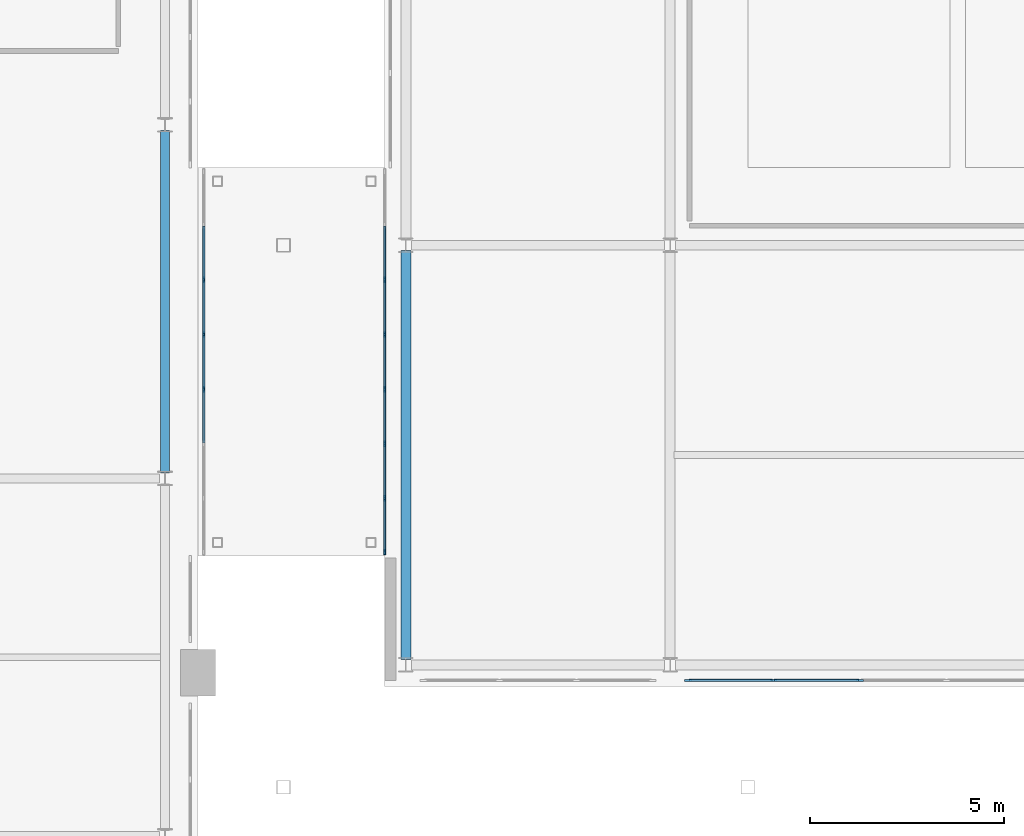
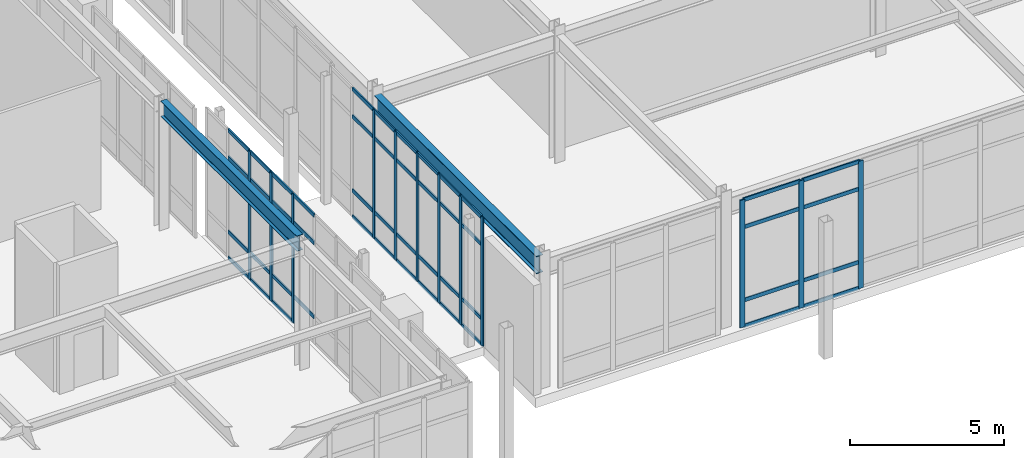
# One storey, part 62 of 159: 59 members, 2 beams, 3 elements without a shape of their own.
"""IFC4 building model written with IfcOpenShell, lengths in metres."""

from ifc_helpers import new_model, si_unit, derived_unit, direction, frame, origin, origin_2d, place, context, subcontext, project, spatial, rectangle, i_section, extrude, material, layer, layer_set, material_profile, profile_set, type_object, element, aggregate, save


model = new_model("IFC4")

# Units and contexts
model_context = context("Model", 3, precision=1e-05, world=origin(), true_north=direction((0.0, 1.0)))
body_context = subcontext(model_context, "Body", "Model", "MODEL_VIEW")
ifc_project = project(units=[si_unit("LENGTHUNIT", "METRE"), si_unit("AREAUNIT", "SQUARE_METRE"), si_unit("VOLUMEUNIT", "CUBIC_METRE"), si_unit("PLANEANGLEUNIT", "RADIAN"), si_unit("MASSUNIT", "GRAM", prefix="KILO"), derived_unit("THERMALTRANSMITTANCEUNIT", [(si_unit("MASSUNIT", "GRAM", prefix="KILO"), 1), (si_unit("TIMEUNIT", "SECOND"), -3), (si_unit("THERMODYNAMICTEMPERATUREUNIT", "KELVIN"), -1)])], contexts=[model_context])

# Site, building, storey
site_placement = place(None, origin())
site = spatial("IfcSite", under=ifc_project, at=site_placement, CompositionType="ELEMENT")
building_placement = place(site_placement, origin())
building = spatial("IfcBuilding", under=site, at=building_placement, Name="Valcora Ridge Arena", CompositionType="ELEMENT")
storey_placement = place(building_placement, frame((0.0, 0.0, 6.0)))
storey = spatial("IfcBuildingStorey", under=building, at=storey_placement, Name="L01", CompositionType="ELEMENT", Elevation=6.0)

# Beams
ifc_material_1 = material(Name="Steel ASTM A572 Grade 50", Category="steel")
ifc_material_profile_1 = material_profile(ifc_material_1, i_section(OverallWidth=0.22900390625, OverallDepth=0.612060546875, WebThickness=0.011962890625, FlangeThickness=0.01953125, FilletRadius=0.01806640625, at=origin_2d()), Name="W24X84")
ifc_profile_set_1 = profile_set([ifc_material_profile_1], Name="Steel ASTM A572 Grade 50")
beam_type_1 = type_object("IfcBeamType", Name="TY-BEAM-G-W24X84-Y", PredefinedType="BEAM", material=ifc_profile_set_1)
beam_1_placement = place(storey_placement, frame((131.0, 10.139892578125, 4.7939453125), z_axis=(0.0, 1.0, 0.0), x_axis=(-1.0, 0.0, 0.0)))
element("IfcBeam", 1, at=beam_1_placement, inside=storey, type_object=beam_type_1, Name="G-W24X84-Y BEM-G-W24X84-Y-0017", PredefinedType="BEAM", context=body_context, shape_type="SweptSolid", body=[
    extrude(i_section(OverallWidth=0.22900390625, OverallDepth=0.612060546875, WebThickness=0.011962890625, FlangeThickness=0.01953125, FilletRadius=0.01806640625, at=origin_2d()), origin(), (0.0, 0.0, 1.0), 8.820068359375),
])
ifc_material_profile_2 = material_profile(ifc_material_1, i_section(OverallWidth=0.256103515625, OverallDepth=0.693115234375, WebThickness=0.014404296875, FlangeThickness=0.023681640625, FilletRadius=0.02001953125, at=origin_2d()), Name="W27X114")
ifc_profile_set_2 = profile_set([ifc_material_profile_2], Name="Steel ASTM A572 Grade 50")
beam_type_2 = type_object("IfcBeamType", Name="TY-BEAM-G-W27X114-Y", PredefinedType="BEAM", material=ifc_profile_set_2)
beam_2_placement = place(storey_placement, frame((137.199951171875, 5.340087890625, 4.693603515625), z_axis=(0.0, 1.0, 0.0), x_axis=(-1.0, 0.0, 0.0)))
element("IfcBeam", 2, at=beam_2_placement, inside=storey, type_object=beam_type_2, Name="G-W27X114-Y BEM-G-W27X114-Y-0034", PredefinedType="BEAM", context=body_context, shape_type="SweptSolid", body=[
    extrude(i_section(OverallWidth=0.256103515625, OverallDepth=0.693115234375, WebThickness=0.014404296875, FlangeThickness=0.023681640625, FilletRadius=0.02001953125, at=origin_2d()), origin(), (0.0, 0.0, 1.0), 10.52001953125),
])

# Curtain wall, members
ifc_material_2 = material(Name="Anodised dark bronze architectural aluminium 6063-T6", Category="aluminium")
ifc_layer_1 = layer(ifc_material_2, 0.14990234375, Name="Anodised dark bronze architectural aluminium 6063-T6")
ifc_layer_set_1 = layer_set([ifc_layer_1], Name="Anodised dark bronze architectural aluminium 6063-T6")
curtain_wall_type_1 = type_object("IfcCurtainWallType", Name="TY-CURTAINWALL-CW-BRG-098X51", PredefinedType="NOTDEFINED", material=ifc_layer_set_1)
curtain_wall_1_placement = place(storey_placement, origin())
curtain_wall_1 = element("IfcCurtainWall", 3, at=curtain_wall_1_placement, inside=storey, type_object=curtain_wall_type_1, Name="CW-BRG-098X51 CW-0352", PredefinedType="NOTDEFINED")
ifc_material_profile_3 = material_profile(ifc_material_2, rectangle(XDim=0.050048828125, YDim=0.14990234375, at=origin_2d()), Name="ALU MULLION 50x150")
ifc_profile_set_3 = profile_set([ifc_material_profile_3], Name="Anodised dark bronze architectural aluminium 6063-T6")
member_type_1 = type_object("IfcMemberType", Name="TY-MEM-CWM-50x150", PredefinedType="MULLION", material=ifc_profile_set_3)
member_1_placement = place(storey_placement, frame((132.0, 12.297119140625, 0.0), z_axis=(0.0, 0.0, 1.0), x_axis=(-1.0, 0.0, 0.0)))
member_1 = element("IfcMember", 4, at=member_1_placement, type_object=member_type_1, Name="CW-0352/CWM-50x150/M03", PredefinedType="MULLION", context=body_context, shape_type="SweptSolid", body=[
    extrude(rectangle(XDim=0.050048828125, YDim=0.14990234375, at=origin_2d()), origin(), (0.0, 0.0, 1.0), 5.080078125),
])
member_2_placement = place(storey_placement, frame((132.0, 13.702880859375, 0.0), z_axis=(0.0, 0.0, 1.0), x_axis=(-1.0, 0.0, 0.0)))
member_2 = element("IfcMember", 5, at=member_2_placement, type_object=member_type_1, Name="CW-0352/CWM-50x150/M04", PredefinedType="MULLION", context=body_context, shape_type="SweptSolid", body=[
    extrude(rectangle(XDim=0.050048828125, YDim=0.14990234375, at=origin_2d()), origin(), (0.0, 0.0, 1.0), 5.080078125),
])
member_3_placement = place(storey_placement, frame((132.0, 15.108642578125, 0.0), z_axis=(0.0, 0.0, 1.0), x_axis=(-1.0, 0.0, 0.0)))
member_3 = element("IfcMember", 6, at=member_3_placement, type_object=member_type_1, Name="CW-0352/CWM-50x150/M05", PredefinedType="MULLION", context=body_context, shape_type="SweptSolid", body=[
    extrude(rectangle(XDim=0.050048828125, YDim=0.14990234375, at=origin_2d()), origin(), (0.0, 0.0, 1.0), 5.080078125),
])

curtain_wall_2_placement = place(storey_placement, origin())
curtain_wall_2 = element("IfcCurtainWall", 7, at=curtain_wall_2_placement, inside=storey, type_object=curtain_wall_type_1, Name="CW-BRG-098X51 CW-0353", PredefinedType="NOTDEFINED")
member_4_placement = place(storey_placement, frame((136.64990234375, 8.10498046875, 0.0), z_axis=(0.0, 0.0, 1.0), x_axis=(-1.0, 0.0, 0.0)))
member_4 = element("IfcMember", 8, at=member_4_placement, type_object=member_type_1, Name="CW-0353/CWM-50x150/M00", PredefinedType="MULLION", context=body_context, shape_type="SweptSolid", body=[
    extrude(rectangle(XDim=0.050048828125, YDim=0.14990234375, at=origin_2d()), origin(), (0.0, 0.0, 1.0), 5.080078125),
])
member_5_placement = place(storey_placement, frame((136.64990234375, 9.485595703125, 0.0), z_axis=(0.0, 0.0, 1.0), x_axis=(-1.0, 0.0, 0.0)))
member_5 = element("IfcMember", 9, at=member_5_placement, type_object=member_type_1, Name="CW-0353/CWM-50x150/M01", PredefinedType="MULLION", context=body_context, shape_type="SweptSolid", body=[
    extrude(rectangle(XDim=0.050048828125, YDim=0.14990234375, at=origin_2d()), origin(), (0.0, 0.0, 1.0), 5.080078125),
])
member_6_placement = place(storey_placement, frame((136.64990234375, 10.891357421875, 0.0), z_axis=(0.0, 0.0, 1.0), x_axis=(-1.0, 0.0, 0.0)))
member_6 = element("IfcMember", 10, at=member_6_placement, type_object=member_type_1, Name="CW-0353/CWM-50x150/M02", PredefinedType="MULLION", context=body_context, shape_type="SweptSolid", body=[
    extrude(rectangle(XDim=0.050048828125, YDim=0.14990234375, at=origin_2d()), origin(), (0.0, 0.0, 1.0), 5.080078125),
])
member_7_placement = place(storey_placement, frame((136.64990234375, 12.297119140625, 0.0), z_axis=(0.0, 0.0, 1.0), x_axis=(-1.0, 0.0, 0.0)))
member_7 = element("IfcMember", 11, at=member_7_placement, type_object=member_type_1, Name="CW-0353/CWM-50x150/M03", PredefinedType="MULLION", context=body_context, shape_type="SweptSolid", body=[
    extrude(rectangle(XDim=0.050048828125, YDim=0.14990234375, at=origin_2d()), origin(), (0.0, 0.0, 1.0), 5.080078125),
])
member_8_placement = place(storey_placement, frame((136.64990234375, 13.702880859375, 0.0), z_axis=(0.0, 0.0, 1.0), x_axis=(-1.0, 0.0, 0.0)))
member_8 = element("IfcMember", 12, at=member_8_placement, type_object=member_type_1, Name="CW-0353/CWM-50x150/M04", PredefinedType="MULLION", context=body_context, shape_type="SweptSolid", body=[
    extrude(rectangle(XDim=0.050048828125, YDim=0.14990234375, at=origin_2d()), origin(), (0.0, 0.0, 1.0), 5.080078125),
])
member_9_placement = place(storey_placement, frame((136.64990234375, 15.108642578125, 0.0), z_axis=(0.0, 0.0, 1.0), x_axis=(-1.0, 0.0, 0.0)))
member_9 = element("IfcMember", 13, at=member_9_placement, type_object=member_type_1, Name="CW-0353/CWM-50x150/M05", PredefinedType="MULLION", context=body_context, shape_type="SweptSolid", body=[
    extrude(rectangle(XDim=0.050048828125, YDim=0.14990234375, at=origin_2d()), origin(), (0.0, 0.0, 1.0), 5.080078125),
])

ifc_layer_2 = layer(ifc_material_2, 0.179931640625, Name="Anodised dark bronze architectural aluminium 6063-T6")
ifc_layer_set_2 = layer_set([ifc_layer_2], Name="Anodised dark bronze architectural aluminium 6063-T6")
curtain_wall_type_2 = type_object("IfcCurtainWallType", Name="TY-CURTAINWALL-CW-V2-GLAZ-111X50", PredefinedType="NOTDEFINED", material=ifc_layer_set_2)
curtain_wall_3_placement = place(storey_placement, origin())
curtain_wall_3 = element("IfcCurtainWall", 14, at=curtain_wall_3_placement, inside=storey, type_object=curtain_wall_type_2, Name="CW-V2-GLAZ-111X50 CW-0045", PredefinedType="NOTDEFINED")
ifc_material_profile_4 = material_profile(ifc_material_2, rectangle(XDim=0.06005859375, YDim=0.179931640625, at=origin_2d()), Name="ALU MULLION 60x180")
ifc_profile_set_4 = profile_set([ifc_material_profile_4], Name="Anodised dark bronze architectural aluminium 6063-T6")
member_type_2 = type_object("IfcMemberType", Name="TY-MEM-CWM-60x180", PredefinedType="MULLION", material=ifc_profile_set_4)
member_10_placement = place(storey_placement, frame((144.45703125, 4.800048828125, 0.0), z_axis=(0.0, 0.0, 1.0), x_axis=(0.0, 1.0, 0.0)))
member_10 = element("IfcMember", 15, at=member_10_placement, type_object=member_type_2, Name="CW-0045/CWM-60x180/M00", PredefinedType="MULLION", context=body_context, shape_type="SweptSolid", body=[
    extrude(rectangle(XDim=0.06005859375, YDim=0.179931640625, at=origin_2d()), origin(), (0.0, 0.0, 1.0), 5.0400390625),
])
member_11_placement = place(storey_placement, frame((146.65625, 4.800048828125, 0.0), z_axis=(0.0, 0.0, 1.0), x_axis=(0.0, 1.0, 0.0)))
member_11 = element("IfcMember", 16, at=member_11_placement, type_object=member_type_2, Name="CW-0045/CWM-60x180/M01", PredefinedType="MULLION", context=body_context, shape_type="SweptSolid", body=[
    extrude(rectangle(XDim=0.06005859375, YDim=0.179931640625, at=origin_2d()), origin(), (0.0, 0.0, 1.0), 5.0400390625),
])
member_12_placement = place(storey_placement, frame((148.885498046875, 4.800048828125, 0.0), z_axis=(0.0, 0.0, 1.0), x_axis=(0.0, 1.0, 0.0)))
member_12 = element("IfcMember", 17, at=member_12_placement, type_object=member_type_2, Name="CW-0045/CWM-60x180/M02", PredefinedType="MULLION", context=body_context, shape_type="SweptSolid", body=[
    extrude(rectangle(XDim=0.06005859375, YDim=0.179931640625, at=origin_2d()), origin(), (0.0, 0.0, 1.0), 5.0400390625),
])
ifc_material_profile_5 = material_profile(ifc_material_2, rectangle(XDim=0.050048828125, YDim=0.14990234375, at=origin_2d()), Name="ALU TRANSOM 50x150")
ifc_profile_set_5 = profile_set([ifc_material_profile_5], Name="Anodised dark bronze architectural aluminium 6063-T6")
member_type_3 = type_object("IfcMemberType", Name="TY-MEM-CWT-50x150", PredefinedType="USERDEFINED", material=ifc_profile_set_5)
member_13_placement = place(storey_placement, frame((144.487060546875, 4.800048828125, 0.02490234375), z_axis=(1.0, 0.0, 0.0), x_axis=(0.0, 1.0, 0.0)))
member_13 = element("IfcMember", 18, at=member_13_placement, type_object=member_type_3, Name="CW-0045/CWT-50x150/T00-00", ObjectType="TRANSOM", PredefinedType="USERDEFINED", context=body_context, shape_type="SweptSolid", body=[
    extrude(rectangle(XDim=0.050048828125, YDim=0.14990234375, at=origin_2d()), origin(), (0.0, 0.0, 1.0), 2.138916015625),
])
member_14_placement = place(storey_placement, frame((144.487060546875, 4.800048828125, 1.050048828125), z_axis=(1.0, 0.0, 0.0), x_axis=(0.0, 1.0, 0.0)))
member_14 = element("IfcMember", 19, at=member_14_placement, type_object=member_type_3, Name="CW-0045/CWT-50x150/T00-01", ObjectType="TRANSOM", PredefinedType="USERDEFINED", context=body_context, shape_type="SweptSolid", body=[
    extrude(rectangle(XDim=0.050048828125, YDim=0.14990234375, at=origin_2d()), origin(), (0.0, 0.0, 1.0), 2.138916015625),
])
member_15_placement = place(storey_placement, frame((144.487060546875, 4.800048828125, 3.93994140625), z_axis=(1.0, 0.0, 0.0), x_axis=(0.0, 1.0, 0.0)))
member_15 = element("IfcMember", 20, at=member_15_placement, type_object=member_type_3, Name="CW-0045/CWT-50x150/T00-02", ObjectType="TRANSOM", PredefinedType="USERDEFINED", context=body_context, shape_type="SweptSolid", body=[
    extrude(rectangle(XDim=0.050048828125, YDim=0.14990234375, at=origin_2d()), origin(), (0.0, 0.0, 1.0), 2.138916015625),
])
member_16_placement = place(storey_placement, frame((144.487060546875, 4.800048828125, 5.014892578125), z_axis=(1.0, 0.0, 0.0), x_axis=(0.0, 1.0, 0.0)))
member_16 = element("IfcMember", 21, at=member_16_placement, type_object=member_type_3, Name="CW-0045/CWT-50x150/T00-03", ObjectType="TRANSOM", PredefinedType="USERDEFINED", context=body_context, shape_type="SweptSolid", body=[
    extrude(rectangle(XDim=0.050048828125, YDim=0.14990234375, at=origin_2d()), origin(), (0.0, 0.0, 1.0), 2.138916015625),
])
member_17_placement = place(storey_placement, frame((146.68603515625, 4.800048828125, 0.02490234375), z_axis=(1.0, 0.0, 0.0), x_axis=(0.0, 1.0, 0.0)))
member_17 = element("IfcMember", 22, at=member_17_placement, type_object=member_type_3, Name="CW-0045/CWT-50x150/T01-00", ObjectType="TRANSOM", PredefinedType="USERDEFINED", context=body_context, shape_type="SweptSolid", body=[
    extrude(rectangle(XDim=0.050048828125, YDim=0.14990234375, at=origin_2d()), origin(), (0.0, 0.0, 1.0), 2.1689453125),
])
member_18_placement = place(storey_placement, frame((146.68603515625, 4.800048828125, 1.050048828125), z_axis=(1.0, 0.0, 0.0), x_axis=(0.0, 1.0, 0.0)))
member_18 = element("IfcMember", 23, at=member_18_placement, type_object=member_type_3, Name="CW-0045/CWT-50x150/T01-01", ObjectType="TRANSOM", PredefinedType="USERDEFINED", context=body_context, shape_type="SweptSolid", body=[
    extrude(rectangle(XDim=0.050048828125, YDim=0.14990234375, at=origin_2d()), origin(), (0.0, 0.0, 1.0), 2.1689453125),
])
member_19_placement = place(storey_placement, frame((146.68603515625, 4.800048828125, 3.93994140625), z_axis=(1.0, 0.0, 0.0), x_axis=(0.0, 1.0, 0.0)))
member_19 = element("IfcMember", 24, at=member_19_placement, type_object=member_type_3, Name="CW-0045/CWT-50x150/T01-02", ObjectType="TRANSOM", PredefinedType="USERDEFINED", context=body_context, shape_type="SweptSolid", body=[
    extrude(rectangle(XDim=0.050048828125, YDim=0.14990234375, at=origin_2d()), origin(), (0.0, 0.0, 1.0), 2.1689453125),
])
member_20_placement = place(storey_placement, frame((146.68603515625, 4.800048828125, 5.014892578125), z_axis=(1.0, 0.0, 0.0), x_axis=(0.0, 1.0, 0.0)))
member_20 = element("IfcMember", 25, at=member_20_placement, type_object=member_type_3, Name="CW-0045/CWT-50x150/T01-03", ObjectType="TRANSOM", PredefinedType="USERDEFINED", context=body_context, shape_type="SweptSolid", body=[
    extrude(rectangle(XDim=0.050048828125, YDim=0.14990234375, at=origin_2d()), origin(), (0.0, 0.0, 1.0), 2.1689453125),
])
aggregate(curtain_wall_3, [member_10, member_11, member_12, member_13, member_14, member_15, member_16, member_17, member_18, member_19, member_20])

# Member
member_21_placement = place(storey_placement, frame((132.0, 10.916015625, 1.050048828125), z_axis=(0.0, 1.0, 0.0), x_axis=(-1.0, 0.0, 0.0)))
member_21 = element("IfcMember", 26, at=member_21_placement, type_object=member_type_3, Name="CW-0352/CWT-50x150/T02-01", ObjectType="TRANSOM", PredefinedType="USERDEFINED", context=body_context, shape_type="SweptSolid", body=[
    extrude(rectangle(XDim=0.050048828125, YDim=0.14990234375, at=origin_2d()), origin(), (0.0, 0.0, 1.0), 1.35595703125),
])

member_22_placement = place(storey_placement, frame((132.0, 10.916015625, 3.97998046875), z_axis=(0.0, 1.0, 0.0), x_axis=(-1.0, 0.0, 0.0)))
member_22 = element("IfcMember", 27, at=member_22_placement, type_object=member_type_3, Name="CW-0352/CWT-50x150/T02-02", ObjectType="TRANSOM", PredefinedType="USERDEFINED", context=body_context, shape_type="SweptSolid", body=[
    extrude(rectangle(XDim=0.050048828125, YDim=0.14990234375, at=origin_2d()), origin(), (0.0, 0.0, 1.0), 1.35595703125),
])

member_23_placement = place(storey_placement, frame((132.0, 10.916015625, 5.054931640625), z_axis=(0.0, 1.0, 0.0), x_axis=(-1.0, 0.0, 0.0)))
member_23 = element("IfcMember", 28, at=member_23_placement, type_object=member_type_3, Name="CW-0352/CWT-50x150/T02-03", ObjectType="TRANSOM", PredefinedType="USERDEFINED", context=body_context, shape_type="SweptSolid", body=[
    extrude(rectangle(XDim=0.050048828125, YDim=0.14990234375, at=origin_2d()), origin(), (0.0, 0.0, 1.0), 1.35595703125),
])

member_24_placement = place(storey_placement, frame((132.0, 12.322021484375, 0.02490234375), z_axis=(0.0, 1.0, 0.0), x_axis=(-1.0, 0.0, 0.0)))
member_24 = element("IfcMember", 29, at=member_24_placement, type_object=member_type_3, Name="CW-0352/CWT-50x150/T03-00", ObjectType="TRANSOM", PredefinedType="USERDEFINED", context=body_context, shape_type="SweptSolid", body=[
    extrude(rectangle(XDim=0.050048828125, YDim=0.14990234375, at=origin_2d()), origin(), (0.0, 0.0, 1.0), 1.35595703125),
])

member_25_placement = place(storey_placement, frame((132.0, 12.322021484375, 1.050048828125), z_axis=(0.0, 1.0, 0.0), x_axis=(-1.0, 0.0, 0.0)))
member_25 = element("IfcMember", 30, at=member_25_placement, type_object=member_type_3, Name="CW-0352/CWT-50x150/T03-01", ObjectType="TRANSOM", PredefinedType="USERDEFINED", context=body_context, shape_type="SweptSolid", body=[
    extrude(rectangle(XDim=0.050048828125, YDim=0.14990234375, at=origin_2d()), origin(), (0.0, 0.0, 1.0), 1.35595703125),
])

member_26_placement = place(storey_placement, frame((132.0, 12.322021484375, 3.97998046875), z_axis=(0.0, 1.0, 0.0), x_axis=(-1.0, 0.0, 0.0)))
member_26 = element("IfcMember", 31, at=member_26_placement, type_object=member_type_3, Name="CW-0352/CWT-50x150/T03-02", ObjectType="TRANSOM", PredefinedType="USERDEFINED", context=body_context, shape_type="SweptSolid", body=[
    extrude(rectangle(XDim=0.050048828125, YDim=0.14990234375, at=origin_2d()), origin(), (0.0, 0.0, 1.0), 1.35595703125),
])

member_27_placement = place(storey_placement, frame((132.0, 12.322021484375, 5.054931640625), z_axis=(0.0, 1.0, 0.0), x_axis=(-1.0, 0.0, 0.0)))
member_27 = element("IfcMember", 32, at=member_27_placement, type_object=member_type_3, Name="CW-0352/CWT-50x150/T03-03", ObjectType="TRANSOM", PredefinedType="USERDEFINED", context=body_context, shape_type="SweptSolid", body=[
    extrude(rectangle(XDim=0.050048828125, YDim=0.14990234375, at=origin_2d()), origin(), (0.0, 0.0, 1.0), 1.35595703125),
])

member_28_placement = place(storey_placement, frame((132.0, 13.72802734375, 0.02490234375), z_axis=(0.0, 1.0, 0.0), x_axis=(-1.0, 0.0, 0.0)))
member_28 = element("IfcMember", 33, at=member_28_placement, type_object=member_type_3, Name="CW-0352/CWT-50x150/T04-00", ObjectType="TRANSOM", PredefinedType="USERDEFINED", context=body_context, shape_type="SweptSolid", body=[
    extrude(rectangle(XDim=0.050048828125, YDim=0.14990234375, at=origin_2d()), origin(), (0.0, 0.0, 1.0), 1.35595703125),
])

member_29_placement = place(storey_placement, frame((132.0, 13.72802734375, 1.050048828125), z_axis=(0.0, 1.0, 0.0), x_axis=(-1.0, 0.0, 0.0)))
member_29 = element("IfcMember", 34, at=member_29_placement, type_object=member_type_3, Name="CW-0352/CWT-50x150/T04-01", ObjectType="TRANSOM", PredefinedType="USERDEFINED", context=body_context, shape_type="SweptSolid", body=[
    extrude(rectangle(XDim=0.050048828125, YDim=0.14990234375, at=origin_2d()), origin(), (0.0, 0.0, 1.0), 1.35595703125),
])

member_30_placement = place(storey_placement, frame((132.0, 13.72802734375, 3.97998046875), z_axis=(0.0, 1.0, 0.0), x_axis=(-1.0, 0.0, 0.0)))
member_30 = element("IfcMember", 35, at=member_30_placement, type_object=member_type_3, Name="CW-0352/CWT-50x150/T04-02", ObjectType="TRANSOM", PredefinedType="USERDEFINED", context=body_context, shape_type="SweptSolid", body=[
    extrude(rectangle(XDim=0.050048828125, YDim=0.14990234375, at=origin_2d()), origin(), (0.0, 0.0, 1.0), 1.35595703125),
])

member_31_placement = place(storey_placement, frame((132.0, 13.72802734375, 5.054931640625), z_axis=(0.0, 1.0, 0.0), x_axis=(-1.0, 0.0, 0.0)))
member_31 = element("IfcMember", 36, at=member_31_placement, type_object=member_type_3, Name="CW-0352/CWT-50x150/T04-03", ObjectType="TRANSOM", PredefinedType="USERDEFINED", context=body_context, shape_type="SweptSolid", body=[
    extrude(rectangle(XDim=0.050048828125, YDim=0.14990234375, at=origin_2d()), origin(), (0.0, 0.0, 1.0), 1.35595703125),
])

member_32_placement = place(storey_placement, frame((132.0, 15.134033203125, 0.02490234375), z_axis=(0.0, 1.0, 0.0), x_axis=(-1.0, 0.0, 0.0)))
member_32 = element("IfcMember", 37, at=member_32_placement, type_object=member_type_3, Name="CW-0352/CWT-50x150/T05-00", ObjectType="TRANSOM", PredefinedType="USERDEFINED", context=body_context, shape_type="SweptSolid", body=[
    extrude(rectangle(XDim=0.050048828125, YDim=0.14990234375, at=origin_2d()), origin(), (0.0, 0.0, 1.0), 1.35498046875),
])

member_33_placement = place(storey_placement, frame((132.0, 15.134033203125, 1.050048828125), z_axis=(0.0, 1.0, 0.0), x_axis=(-1.0, 0.0, 0.0)))
member_33 = element("IfcMember", 38, at=member_33_placement, type_object=member_type_3, Name="CW-0352/CWT-50x150/T05-01", ObjectType="TRANSOM", PredefinedType="USERDEFINED", context=body_context, shape_type="SweptSolid", body=[
    extrude(rectangle(XDim=0.050048828125, YDim=0.14990234375, at=origin_2d()), origin(), (0.0, 0.0, 1.0), 1.35498046875),
])

member_34_placement = place(storey_placement, frame((132.0, 15.134033203125, 3.97998046875), z_axis=(0.0, 1.0, 0.0), x_axis=(-1.0, 0.0, 0.0)))
member_34 = element("IfcMember", 39, at=member_34_placement, type_object=member_type_3, Name="CW-0352/CWT-50x150/T05-02", ObjectType="TRANSOM", PredefinedType="USERDEFINED", context=body_context, shape_type="SweptSolid", body=[
    extrude(rectangle(XDim=0.050048828125, YDim=0.14990234375, at=origin_2d()), origin(), (0.0, 0.0, 1.0), 1.35498046875),
])

member_35_placement = place(storey_placement, frame((132.0, 15.134033203125, 5.054931640625), z_axis=(0.0, 1.0, 0.0), x_axis=(-1.0, 0.0, 0.0)))
member_35 = element("IfcMember", 40, at=member_35_placement, type_object=member_type_3, Name="CW-0352/CWT-50x150/T05-03", ObjectType="TRANSOM", PredefinedType="USERDEFINED", context=body_context, shape_type="SweptSolid", body=[
    extrude(rectangle(XDim=0.050048828125, YDim=0.14990234375, at=origin_2d()), origin(), (0.0, 0.0, 1.0), 1.35498046875),
])

aggregate(curtain_wall_1, [member_1, member_2, member_3, member_21, member_22, member_23, member_24, member_25, member_26, member_27, member_28, member_29, member_30, member_31, member_32, member_33, member_34, member_35])

member_36_placement = place(storey_placement, frame((136.64990234375, 8.1298828125, 0.02490234375), z_axis=(0.0, 1.0, 0.0), x_axis=(-1.0, 0.0, 0.0)))
member_36 = element("IfcMember", 41, at=member_36_placement, type_object=member_type_3, Name="CW-0353/CWT-50x150/T00-00", ObjectType="TRANSOM", PredefinedType="USERDEFINED", context=body_context, shape_type="SweptSolid", body=[
    extrude(rectangle(XDim=0.050048828125, YDim=0.14990234375, at=origin_2d()), origin(), (0.0, 0.0, 1.0), 1.3310546875),
])

member_37_placement = place(storey_placement, frame((136.64990234375, 8.1298828125, 1.050048828125), z_axis=(0.0, 1.0, 0.0), x_axis=(-1.0, 0.0, 0.0)))
member_37 = element("IfcMember", 42, at=member_37_placement, type_object=member_type_3, Name="CW-0353/CWT-50x150/T00-01", ObjectType="TRANSOM", PredefinedType="USERDEFINED", context=body_context, shape_type="SweptSolid", body=[
    extrude(rectangle(XDim=0.050048828125, YDim=0.14990234375, at=origin_2d()), origin(), (0.0, 0.0, 1.0), 1.3310546875),
])

member_38_placement = place(storey_placement, frame((136.64990234375, 8.1298828125, 3.97998046875), z_axis=(0.0, 1.0, 0.0), x_axis=(-1.0, 0.0, 0.0)))
member_38 = element("IfcMember", 43, at=member_38_placement, type_object=member_type_3, Name="CW-0353/CWT-50x150/T00-02", ObjectType="TRANSOM", PredefinedType="USERDEFINED", context=body_context, shape_type="SweptSolid", body=[
    extrude(rectangle(XDim=0.050048828125, YDim=0.14990234375, at=origin_2d()), origin(), (0.0, 0.0, 1.0), 1.3310546875),
])

member_39_placement = place(storey_placement, frame((136.64990234375, 8.1298828125, 5.054931640625), z_axis=(0.0, 1.0, 0.0), x_axis=(-1.0, 0.0, 0.0)))
member_39 = element("IfcMember", 44, at=member_39_placement, type_object=member_type_3, Name="CW-0353/CWT-50x150/T00-03", ObjectType="TRANSOM", PredefinedType="USERDEFINED", context=body_context, shape_type="SweptSolid", body=[
    extrude(rectangle(XDim=0.050048828125, YDim=0.14990234375, at=origin_2d()), origin(), (0.0, 0.0, 1.0), 1.3310546875),
])

member_40_placement = place(storey_placement, frame((136.64990234375, 9.510986328125, 0.02490234375), z_axis=(0.0, 1.0, 0.0), x_axis=(-1.0, 0.0, 0.0)))
member_40 = element("IfcMember", 45, at=member_40_placement, type_object=member_type_3, Name="CW-0353/CWT-50x150/T01-00", ObjectType="TRANSOM", PredefinedType="USERDEFINED", context=body_context, shape_type="SweptSolid", body=[
    extrude(rectangle(XDim=0.050048828125, YDim=0.14990234375, at=origin_2d()), origin(), (0.0, 0.0, 1.0), 1.35498046875),
])

member_41_placement = place(storey_placement, frame((136.64990234375, 9.510986328125, 1.050048828125), z_axis=(0.0, 1.0, 0.0), x_axis=(-1.0, 0.0, 0.0)))
member_41 = element("IfcMember", 46, at=member_41_placement, type_object=member_type_3, Name="CW-0353/CWT-50x150/T01-01", ObjectType="TRANSOM", PredefinedType="USERDEFINED", context=body_context, shape_type="SweptSolid", body=[
    extrude(rectangle(XDim=0.050048828125, YDim=0.14990234375, at=origin_2d()), origin(), (0.0, 0.0, 1.0), 1.35498046875),
])

member_42_placement = place(storey_placement, frame((136.64990234375, 9.510986328125, 3.97998046875), z_axis=(0.0, 1.0, 0.0), x_axis=(-1.0, 0.0, 0.0)))
member_42 = element("IfcMember", 47, at=member_42_placement, type_object=member_type_3, Name="CW-0353/CWT-50x150/T01-02", ObjectType="TRANSOM", PredefinedType="USERDEFINED", context=body_context, shape_type="SweptSolid", body=[
    extrude(rectangle(XDim=0.050048828125, YDim=0.14990234375, at=origin_2d()), origin(), (0.0, 0.0, 1.0), 1.35498046875),
])

member_43_placement = place(storey_placement, frame((136.64990234375, 9.510986328125, 5.054931640625), z_axis=(0.0, 1.0, 0.0), x_axis=(-1.0, 0.0, 0.0)))
member_43 = element("IfcMember", 48, at=member_43_placement, type_object=member_type_3, Name="CW-0353/CWT-50x150/T01-03", ObjectType="TRANSOM", PredefinedType="USERDEFINED", context=body_context, shape_type="SweptSolid", body=[
    extrude(rectangle(XDim=0.050048828125, YDim=0.14990234375, at=origin_2d()), origin(), (0.0, 0.0, 1.0), 1.35498046875),
])

member_44_placement = place(storey_placement, frame((136.64990234375, 10.916015625, 0.02490234375), z_axis=(0.0, 1.0, 0.0), x_axis=(-1.0, 0.0, 0.0)))
member_44 = element("IfcMember", 49, at=member_44_placement, type_object=member_type_3, Name="CW-0353/CWT-50x150/T02-00", ObjectType="TRANSOM", PredefinedType="USERDEFINED", context=body_context, shape_type="SweptSolid", body=[
    extrude(rectangle(XDim=0.050048828125, YDim=0.14990234375, at=origin_2d()), origin(), (0.0, 0.0, 1.0), 1.35595703125),
])

member_45_placement = place(storey_placement, frame((136.64990234375, 10.916015625, 1.050048828125), z_axis=(0.0, 1.0, 0.0), x_axis=(-1.0, 0.0, 0.0)))
member_45 = element("IfcMember", 50, at=member_45_placement, type_object=member_type_3, Name="CW-0353/CWT-50x150/T02-01", ObjectType="TRANSOM", PredefinedType="USERDEFINED", context=body_context, shape_type="SweptSolid", body=[
    extrude(rectangle(XDim=0.050048828125, YDim=0.14990234375, at=origin_2d()), origin(), (0.0, 0.0, 1.0), 1.35595703125),
])

member_46_placement = place(storey_placement, frame((136.64990234375, 10.916015625, 3.97998046875), z_axis=(0.0, 1.0, 0.0), x_axis=(-1.0, 0.0, 0.0)))
member_46 = element("IfcMember", 51, at=member_46_placement, type_object=member_type_3, Name="CW-0353/CWT-50x150/T02-02", ObjectType="TRANSOM", PredefinedType="USERDEFINED", context=body_context, shape_type="SweptSolid", body=[
    extrude(rectangle(XDim=0.050048828125, YDim=0.14990234375, at=origin_2d()), origin(), (0.0, 0.0, 1.0), 1.35595703125),
])

member_47_placement = place(storey_placement, frame((136.64990234375, 10.916015625, 5.054931640625), z_axis=(0.0, 1.0, 0.0), x_axis=(-1.0, 0.0, 0.0)))
member_47 = element("IfcMember", 52, at=member_47_placement, type_object=member_type_3, Name="CW-0353/CWT-50x150/T02-03", ObjectType="TRANSOM", PredefinedType="USERDEFINED", context=body_context, shape_type="SweptSolid", body=[
    extrude(rectangle(XDim=0.050048828125, YDim=0.14990234375, at=origin_2d()), origin(), (0.0, 0.0, 1.0), 1.35595703125),
])

member_48_placement = place(storey_placement, frame((136.64990234375, 12.322021484375, 0.02490234375), z_axis=(0.0, 1.0, 0.0), x_axis=(-1.0, 0.0, 0.0)))
member_48 = element("IfcMember", 53, at=member_48_placement, type_object=member_type_3, Name="CW-0353/CWT-50x150/T03-00", ObjectType="TRANSOM", PredefinedType="USERDEFINED", context=body_context, shape_type="SweptSolid", body=[
    extrude(rectangle(XDim=0.050048828125, YDim=0.14990234375, at=origin_2d()), origin(), (0.0, 0.0, 1.0), 1.35595703125),
])

member_49_placement = place(storey_placement, frame((136.64990234375, 12.322021484375, 1.050048828125), z_axis=(0.0, 1.0, 0.0), x_axis=(-1.0, 0.0, 0.0)))
member_49 = element("IfcMember", 54, at=member_49_placement, type_object=member_type_3, Name="CW-0353/CWT-50x150/T03-01", ObjectType="TRANSOM", PredefinedType="USERDEFINED", context=body_context, shape_type="SweptSolid", body=[
    extrude(rectangle(XDim=0.050048828125, YDim=0.14990234375, at=origin_2d()), origin(), (0.0, 0.0, 1.0), 1.35595703125),
])

member_50_placement = place(storey_placement, frame((136.64990234375, 12.322021484375, 3.97998046875), z_axis=(0.0, 1.0, 0.0), x_axis=(-1.0, 0.0, 0.0)))
member_50 = element("IfcMember", 55, at=member_50_placement, type_object=member_type_3, Name="CW-0353/CWT-50x150/T03-02", ObjectType="TRANSOM", PredefinedType="USERDEFINED", context=body_context, shape_type="SweptSolid", body=[
    extrude(rectangle(XDim=0.050048828125, YDim=0.14990234375, at=origin_2d()), origin(), (0.0, 0.0, 1.0), 1.35595703125),
])

member_51_placement = place(storey_placement, frame((136.64990234375, 12.322021484375, 5.054931640625), z_axis=(0.0, 1.0, 0.0), x_axis=(-1.0, 0.0, 0.0)))
member_51 = element("IfcMember", 56, at=member_51_placement, type_object=member_type_3, Name="CW-0353/CWT-50x150/T03-03", ObjectType="TRANSOM", PredefinedType="USERDEFINED", context=body_context, shape_type="SweptSolid", body=[
    extrude(rectangle(XDim=0.050048828125, YDim=0.14990234375, at=origin_2d()), origin(), (0.0, 0.0, 1.0), 1.35595703125),
])

member_52_placement = place(storey_placement, frame((136.64990234375, 13.72802734375, 0.02490234375), z_axis=(0.0, 1.0, 0.0), x_axis=(-1.0, 0.0, 0.0)))
member_52 = element("IfcMember", 57, at=member_52_placement, type_object=member_type_3, Name="CW-0353/CWT-50x150/T04-00", ObjectType="TRANSOM", PredefinedType="USERDEFINED", context=body_context, shape_type="SweptSolid", body=[
    extrude(rectangle(XDim=0.050048828125, YDim=0.14990234375, at=origin_2d()), origin(), (0.0, 0.0, 1.0), 1.35595703125),
])

member_53_placement = place(storey_placement, frame((136.64990234375, 13.72802734375, 1.050048828125), z_axis=(0.0, 1.0, 0.0), x_axis=(-1.0, 0.0, 0.0)))
member_53 = element("IfcMember", 58, at=member_53_placement, type_object=member_type_3, Name="CW-0353/CWT-50x150/T04-01", ObjectType="TRANSOM", PredefinedType="USERDEFINED", context=body_context, shape_type="SweptSolid", body=[
    extrude(rectangle(XDim=0.050048828125, YDim=0.14990234375, at=origin_2d()), origin(), (0.0, 0.0, 1.0), 1.35595703125),
])

member_54_placement = place(storey_placement, frame((136.64990234375, 13.72802734375, 3.97998046875), z_axis=(0.0, 1.0, 0.0), x_axis=(-1.0, 0.0, 0.0)))
member_54 = element("IfcMember", 59, at=member_54_placement, type_object=member_type_3, Name="CW-0353/CWT-50x150/T04-02", ObjectType="TRANSOM", PredefinedType="USERDEFINED", context=body_context, shape_type="SweptSolid", body=[
    extrude(rectangle(XDim=0.050048828125, YDim=0.14990234375, at=origin_2d()), origin(), (0.0, 0.0, 1.0), 1.35595703125),
])

member_55_placement = place(storey_placement, frame((136.64990234375, 13.72802734375, 5.054931640625), z_axis=(0.0, 1.0, 0.0), x_axis=(-1.0, 0.0, 0.0)))
member_55 = element("IfcMember", 60, at=member_55_placement, type_object=member_type_3, Name="CW-0353/CWT-50x150/T04-03", ObjectType="TRANSOM", PredefinedType="USERDEFINED", context=body_context, shape_type="SweptSolid", body=[
    extrude(rectangle(XDim=0.050048828125, YDim=0.14990234375, at=origin_2d()), origin(), (0.0, 0.0, 1.0), 1.35595703125),
])

member_56_placement = place(storey_placement, frame((136.64990234375, 15.134033203125, 0.02490234375), z_axis=(0.0, 1.0, 0.0), x_axis=(-1.0, 0.0, 0.0)))
member_56 = element("IfcMember", 61, at=member_56_placement, type_object=member_type_3, Name="CW-0353/CWT-50x150/T05-00", ObjectType="TRANSOM", PredefinedType="USERDEFINED", context=body_context, shape_type="SweptSolid", body=[
    extrude(rectangle(XDim=0.050048828125, YDim=0.14990234375, at=origin_2d()), origin(), (0.0, 0.0, 1.0), 1.35498046875),
])

member_57_placement = place(storey_placement, frame((136.64990234375, 15.134033203125, 1.050048828125), z_axis=(0.0, 1.0, 0.0), x_axis=(-1.0, 0.0, 0.0)))
member_57 = element("IfcMember", 62, at=member_57_placement, type_object=member_type_3, Name="CW-0353/CWT-50x150/T05-01", ObjectType="TRANSOM", PredefinedType="USERDEFINED", context=body_context, shape_type="SweptSolid", body=[
    extrude(rectangle(XDim=0.050048828125, YDim=0.14990234375, at=origin_2d()), origin(), (0.0, 0.0, 1.0), 1.35498046875),
])

member_58_placement = place(storey_placement, frame((136.64990234375, 15.134033203125, 3.97998046875), z_axis=(0.0, 1.0, 0.0), x_axis=(-1.0, 0.0, 0.0)))
member_58 = element("IfcMember", 63, at=member_58_placement, type_object=member_type_3, Name="CW-0353/CWT-50x150/T05-02", ObjectType="TRANSOM", PredefinedType="USERDEFINED", context=body_context, shape_type="SweptSolid", body=[
    extrude(rectangle(XDim=0.050048828125, YDim=0.14990234375, at=origin_2d()), origin(), (0.0, 0.0, 1.0), 1.35498046875),
])

member_59_placement = place(storey_placement, frame((136.64990234375, 15.134033203125, 5.054931640625), z_axis=(0.0, 1.0, 0.0), x_axis=(-1.0, 0.0, 0.0)))
member_59 = element("IfcMember", 64, at=member_59_placement, type_object=member_type_3, Name="CW-0353/CWT-50x150/T05-03", ObjectType="TRANSOM", PredefinedType="USERDEFINED", context=body_context, shape_type="SweptSolid", body=[
    extrude(rectangle(XDim=0.050048828125, YDim=0.14990234375, at=origin_2d()), origin(), (0.0, 0.0, 1.0), 1.35498046875),
])

aggregate(curtain_wall_2, [member_4, member_5, member_6, member_7, member_8, member_9, member_36, member_37, member_38, member_39, member_40, member_41, member_42, member_43, member_44, member_45, member_46, member_47, member_48, member_49, member_50, member_51, member_52, member_53, member_54, member_55, member_56, member_57, member_58, member_59])

save(model, "model.ifc")
